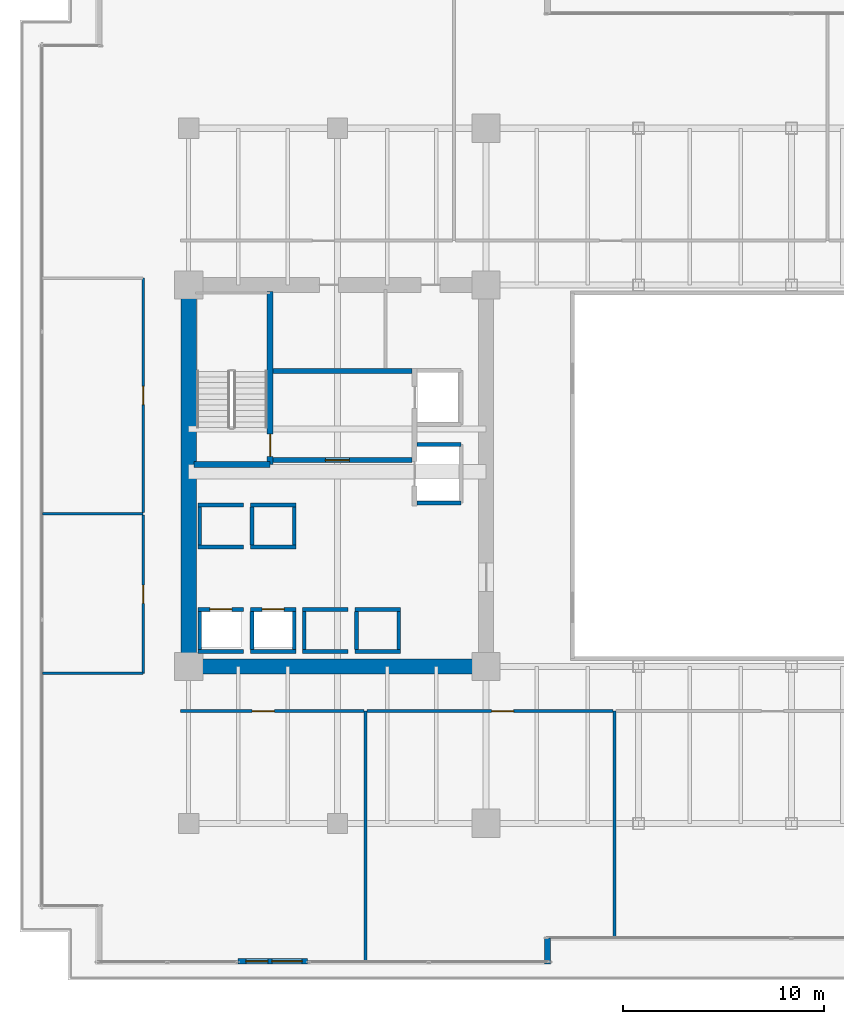
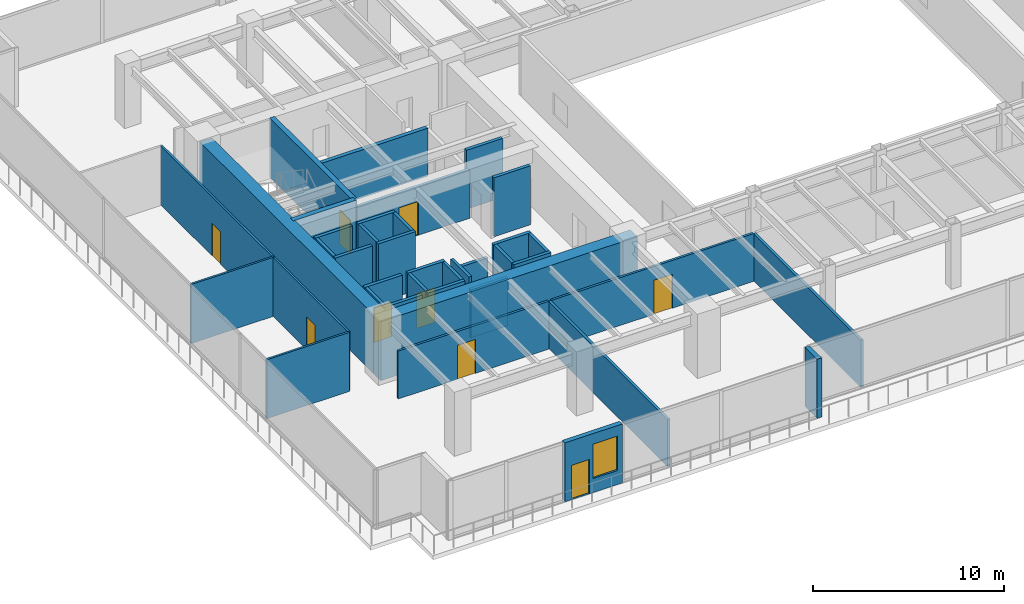
# One storey, part 29 of 36: 39 walls, 9 doors, 1 window, 10 openings.
"""IFC4 building model written with IfcOpenShell, lengths in metres."""

from ifc_helpers import new_model, si_unit, direction, frame, frame_2d, origin, place, context, subcontext, project, spatial, rectangle, extrude, source, transform, mapped, material, layer, layer_set, type_object, type_shapes, element, fill, save


model = new_model("IFC4")

# Units and contexts
model_context = context("Model", 3, precision=1e-05, world=origin(), true_north=direction((0.0, 1.0)))
body_context = subcontext(model_context, "Body", "Model", "MODEL_VIEW")
ifc_project = project(units=[si_unit("LENGTHUNIT", "METRE"), si_unit("AREAUNIT", "SQUARE_METRE"), si_unit("VOLUMEUNIT", "CUBIC_METRE"), si_unit("PLANEANGLEUNIT", "RADIAN"), si_unit("MASSUNIT", "GRAM", prefix="KILO")], contexts=[model_context])

# Site, building, storey
site_placement = place(None, origin())
site = spatial("IfcSite", under=ifc_project, at=site_placement, CompositionType="ELEMENT")
building_placement = place(site_placement, origin())
building = spatial("IfcBuilding", under=site, at=building_placement, Name="Haelvirn Gate Laboratories", CompositionType="ELEMENT")
storey_placement = place(building_placement, frame((0.0, 0.0, 25.199951171875)))
storey = spatial("IfcBuildingStorey", under=building, at=storey_placement, Name="L06", CompositionType="ELEMENT", Elevation=25.199951171875)

# Wall, openings, door, window
ifc_material_1 = material(Name="Thermally-broken bronze aluminium rainscreen & mineral wool", Category="aluminium")
ifc_layer_1 = layer(ifc_material_1, 0.280029296875, Name="EW-TERR-280")
ifc_layer_set_1 = layer_set([ifc_layer_1], Name="Thermally-broken bronze aluminium rainscreen & mineral wool")
wall_type_1 = type_object("IfcWallType", Name="EW-TERR-280", PredefinedType="STANDARD", material=ifc_layer_set_1)
wall_1_placement = place(storey_placement, frame((9.85693359375, 0.139892578125, 0.0), z_axis=(0.0, 0.0, 1.0), x_axis=(1.0, 0.0, 0.0)))
wall_1 = element("IfcWall", 1, at=wall_1_placement, inside=storey, type_object=wall_type_1, Name="L06 Terrace Access Wall SETB-S", PredefinedType="STANDARD", context=body_context, shape_type="SweptSolid", body=[
    extrude(rectangle(XDim=3.466064453125, YDim=0.280029296875, at=frame_2d((1.73291015625, 0.0))), origin(), (0.0, 0.0, 1.0), 3.780029296875),
])
opening_1_placement = place(wall_1_placement, frame((0.383056640625, 0.0, 0.0)))
opening_1 = element("IfcOpeningElement", 2, at=opening_1_placement, cuts=wall_1, Name="Opening TD1", PredefinedType="OPENING", context=body_context, shape_type="SweptSolid", body=[
    extrude(rectangle(XDim=1.10009765625, YDim=2.199951171875, at=frame_2d((0.550048828125, 1.10009765625))), frame((0.0, 0.14990234375, 0.0), z_axis=(0.0, -1.0, 0.0), x_axis=(1.0, 0.0, 0.0)), (0.0, 0.0, 1.0), 0.300048828125),
])
opening_2_placement = place(wall_1_placement, frame((1.68310546875, 0.0, 0.89990234375)))
opening_2 = element("IfcOpeningElement", 3, at=opening_2_placement, cuts=wall_1, Name="Opening W3", PredefinedType="OPENING", context=body_context, shape_type="SweptSolid", body=[
    extrude(rectangle(XDim=1.5, YDim=2.199951171875, at=frame_2d((0.75, 1.10009765625))), frame((0.0, 0.14990234375, 0.0), z_axis=(0.0, -1.0, 0.0), x_axis=(1.0, 0.0, 0.0)), (0.0, 0.0, 1.0), 0.300048828125),
])
ifc_material_2 = material(Name="Thermally-broken bronze aluminium glazed terrace door", Category="aluminium")
door_type_1 = type_object("IfcDoorType", Name="DR-TERR-1100", OperationType="NOTDEFINED", PredefinedType="DOOR", material=ifc_material_2)
shared_shape_1 = source(origin(), body_context, "Body", "SweptSolid", [
    extrude(rectangle(XDim=1.10009765625, YDim=2.199951171875, at=frame_2d((0.550048828125, 1.10009765625))), frame((0.0, 0.02490234375, 0.0), z_axis=(0.0, -1.0, 0.0), x_axis=(1.0, 0.0, 0.0)), (0.0, 0.0, 1.0), 0.050048828125),
])
type_shapes(door_type_1, [shared_shape_1])
door_1_placement = place(opening_1_placement, origin())
door_1 = element("IfcDoor", 4, at=door_1_placement, inside=storey, type_object=door_type_1, Name="L06 Terrace Access Door SETB-S", OperationType="SINGLE_SWING_LEFT", OverallHeight=2.199951171875, OverallWidth=1.10009765625, PredefinedType="DOOR", context=body_context, shape_type="MappedRepresentation", body=[
    mapped(shared_shape_1, transform((0.0, 0.0, 0.0), scale=1.0)),
])
fill(opening_1, door_1)
ifc_material_3 = material(Name="Bronze anodised aluminium & triple low-E glass", Category="aluminium")
window_type = type_object("IfcWindowType", Name="WIN-TERR-1600", PartitioningType="SINGLE_PANEL", PredefinedType="WINDOW", material=ifc_material_3)
shared_shape_2 = source(origin(), body_context, "Body", "SweptSolid", [
    extrude(rectangle(XDim=1.5, YDim=2.199951171875, at=frame_2d((0.75, 1.10009765625))), frame((0.0, 0.030029296875, 0.0), z_axis=(0.0, -1.0, 0.0), x_axis=(1.0, 0.0, 0.0)), (0.0, 0.0, 1.0), 0.06005859375),
])
type_shapes(window_type, [shared_shape_2])
window_placement = place(opening_2_placement, origin())
window = element("IfcWindow", 5, at=window_placement, inside=storey, type_object=window_type, Name="L06 Terrace Vision Window SETB-S", OverallHeight=2.199951171875, OverallWidth=1.5, PartitioningType="SINGLE_PANEL", PredefinedType="WINDOW", context=body_context, shape_type="MappedRepresentation", body=[
    mapped(shared_shape_2, transform((0.0, 0.0, 0.0), scale=1.0)),
])
fill(opening_2, window)

# Walls
wall_2_placement = place(storey_placement, frame((25.260009765625, 0.0, 0.0), z_axis=(0.0, 0.0, 1.0), x_axis=(0.0, 1.0, 0.0)))
element("IfcWall", 6, at=wall_2_placement, inside=storey, type_object=wall_type_1, Name="L06 Atrium Recess Bronze Return Wall 01", PredefinedType="STANDARD", context=body_context, shape_type="SweptSolid", body=[
    extrude(rectangle(XDim=1.2880859375, YDim=0.280029296875, at=frame_2d((0.64404296875, 0.0))), origin(), (0.0, 0.0, 1.0), 3.780029296875),
])
ifc_material_4 = material(Name="Double-layer acoustic gypsum laboratory partition", Category="gypsum")
ifc_layer_2 = layer(ifc_material_4, 0.159912109375, Name="IW-ACOUST-160")
ifc_layer_set_2 = layer_set([ifc_layer_2], Name="Double-layer acoustic gypsum laboratory partition")
wall_type_2 = type_object("IfcWallType", Name="IW-ACOUST-160", PredefinedType="PARTITIONING", material=ifc_layer_set_2)
wall_3_placement = place(storey_placement, frame((16.199951171875, 0.110107421875, 0.0), z_axis=(0.0, 0.0, 1.0), x_axis=(0.0, 1.0, 0.0)))
element("IfcWall", 7, at=wall_3_placement, inside=storey, type_object=wall_type_2, Name="L06 Interior Wall IW-L06-SDIV-01", PredefinedType="PARTITIONING", context=body_context, shape_type="SweptSolid", body=[
    extrude(rectangle(XDim=12.47998046875, YDim=0.159912109375, at=frame_2d((6.239990234375, 0.0))), origin(), (0.0, 0.0, 1.0), 3.01513671875),
])
wall_4_placement = place(storey_placement, frame((28.60009765625, 1.31005859375, 0.0), z_axis=(0.0, 0.0, 1.0), x_axis=(0.0, 1.0, 0.0)))
element("IfcWall", 8, at=wall_4_placement, inside=storey, type_object=wall_type_2, Name="L06 Interior Wall IW-L06-SDIV-02", PredefinedType="PARTITIONING", context=body_context, shape_type="SweptSolid", body=[
    extrude(rectangle(XDim=11.280029296875, YDim=0.159912109375, at=frame_2d((5.64013671875, 0.0))), origin(), (0.0, 0.0, 1.0), 3.01513671875),
])
ifc_material_5 = material(Name="Lightweight acoustic gypsum board partition", Category="gypsum")
ifc_layer_3 = layer(ifc_material_5, 0.1201171875, Name="IW-PART-120")
ifc_layer_set_3 = layer_set([ifc_layer_3], Name="Lightweight acoustic gypsum board partition")
wall_type_3 = type_object("IfcWallType", Name="IW-PART-120", PredefinedType="PARTITIONING", material=ifc_layer_set_3)
wall_5_placement = place(storey_placement, frame((0.110107421875, 14.465087890625, 0.0), z_axis=(0.0, 0.0, 1.0), x_axis=(1.0, 0.0, 0.0)))
element("IfcWall", 9, at=wall_5_placement, inside=storey, type_object=wall_type_3, Name="L06 Interior Wall IW-L06-WCAP-S", PredefinedType="PARTITIONING", context=body_context, shape_type="SweptSolid", body=[
    extrude(rectangle(XDim=5.019775390625, YDim=0.1201171875, at=frame_2d((2.509765625, 0.0))), origin(), (0.0, 0.0, 1.0), 3.780029296875),
])

# Wall, opening, door
wall_6_placement = place(storey_placement, frame((5.1298828125, 14.465087890625, 0.0), z_axis=(0.0, 0.0, 1.0), x_axis=(0.0, 1.0, 0.0)))
wall_6 = element("IfcWall", 10, at=wall_6_placement, inside=storey, type_object=wall_type_3, Name="L06 Interior Wall IW-L06-WPASS-01", PredefinedType="PARTITIONING", context=body_context, shape_type="SweptSolid", body=[
    extrude(rectangle(XDim=7.875, YDim=0.1201171875, at=frame_2d((3.9375, 0.0))), origin(), (0.0, 0.0, 1.0), 3.780029296875),
])
opening_3_placement = place(wall_6_placement, frame((3.487548828125, 0.0, 0.0)))
opening_3 = element("IfcOpeningElement", 11, at=opening_3_placement, cuts=wall_6, Name="Opening D4", PredefinedType="OPENING", context=body_context, shape_type="SweptSolid", body=[
    extrude(rectangle(XDim=0.89990234375, YDim=2.10009765625, at=frame_2d((0.449951171875, 1.050048828125))), frame((0.0, 0.070068359375, 0.0), z_axis=(0.0, -1.0, 0.0), x_axis=(1.0, 0.0, 0.0)), (0.0, 0.0, 1.0), 0.14013671875),
])
ifc_material_6 = material(Name="Glazed aluminium-framed write-up door", Category="aluminium")
door_type_2 = type_object("IfcDoorType", Name="DR-OFF-900", OperationType="NOTDEFINED", PredefinedType="DOOR", material=ifc_material_6)
shared_shape_3 = source(origin(), body_context, "Body", "SweptSolid", [
    extrude(rectangle(XDim=0.89990234375, YDim=2.10009765625, at=frame_2d((0.449951171875, 1.050048828125))), frame((0.0, 0.02490234375, 0.0), z_axis=(0.0, -1.0, 0.0), x_axis=(1.0, 0.0, 0.0)), (0.0, 0.0, 1.0), 0.050048828125),
])
type_shapes(door_type_2, [shared_shape_3])
door_2_placement = place(opening_3_placement, origin())
door_2 = element("IfcDoor", 12, at=door_2_placement, inside=storey, type_object=door_type_2, Name="L06 Chemical Synthesis Laboratory Door W1", OperationType="SINGLE_SWING_LEFT", OverallHeight=2.10009765625, OverallWidth=0.89990234375, PredefinedType="DOOR", context=body_context, shape_type="MappedRepresentation", body=[
    mapped(shared_shape_3, transform((0.0, 0.0, 0.0), scale=1.0)),
])
fill(opening_3, door_2)

# Wall
wall_7_placement = place(storey_placement, frame((0.110107421875, 22.39990234375, 0.0), z_axis=(0.0, 0.0, 1.0), x_axis=(1.0, 0.0, 0.0)))
element("IfcWall", 13, at=wall_7_placement, inside=storey, type_object=wall_type_3, Name="L06 Interior Wall IW-L06-WDIV-01", PredefinedType="PARTITIONING", context=body_context, shape_type="SweptSolid", body=[
    extrude(rectangle(XDim=5.019775390625, YDim=0.1201171875, at=frame_2d((2.509765625, 0.0))), origin(), (0.0, 0.0, 1.0), 3.780029296875),
])

# Wall, opening, door
wall_8_placement = place(storey_placement, frame((5.1298828125, 22.4599609375, 0.0), z_axis=(0.0, 0.0, 1.0), x_axis=(0.0, 1.0, 0.0)))
wall_8 = element("IfcWall", 14, at=wall_8_placement, inside=storey, type_object=wall_type_3, Name="L06 Interior Wall IW-L06-WPASS-02", PredefinedType="PARTITIONING", context=body_context, shape_type="SweptSolid", body=[
    extrude(rectangle(XDim=11.675048828125, YDim=0.1201171875, at=frame_2d((5.83740234375, 0.0))), origin(), (0.0, 0.0, 1.0), 3.780029296875),
])
opening_4_placement = place(wall_8_placement, frame((5.387451171875, 0.0, 0.0)))
opening_4 = element("IfcOpeningElement", 15, at=opening_4_placement, cuts=wall_8, Name="Opening D4", PredefinedType="OPENING", context=body_context, shape_type="SweptSolid", body=[
    extrude(rectangle(XDim=0.89990234375, YDim=2.10009765625, at=frame_2d((0.449951171875, 1.050048828125))), frame((0.0, 0.070068359375, 0.0), z_axis=(0.0, -1.0, 0.0), x_axis=(1.0, 0.0, 0.0)), (0.0, 0.0, 1.0), 0.14013671875),
])
door_3_placement = place(opening_4_placement, origin())
door_3 = element("IfcDoor", 16, at=door_3_placement, inside=storey, type_object=door_type_2, Name="L06 Bioprocess Foundry Laboratory Door W2", OperationType="SINGLE_SWING_RIGHT", OverallHeight=2.10009765625, OverallWidth=0.89990234375, PredefinedType="DOOR", context=body_context, shape_type="MappedRepresentation", body=[
    mapped(shared_shape_3, transform((0.0, 0.0, 0.0), scale=1.0)),
])
fill(opening_4, door_3)

ifc_material_7 = material(Name="Acoustic mineral-wool gypsum board partition", Category="gypsum")
ifc_layer_4 = layer(ifc_material_7, 0.139892578125, Name="IW-PART-140")
ifc_layer_set_4 = layer_set([ifc_layer_4], Name="Acoustic mineral-wool gypsum board partition")
wall_type_4 = type_object("IfcWallType", Name="IW-PART-140", PredefinedType="PARTITIONING", material=ifc_layer_set_4)
wall_9_placement = place(storey_placement, frame((6.97998046875, 12.590087890625, 0.0), z_axis=(0.0, 0.0, 1.0), x_axis=(1.0, 0.0, 0.0)))
wall_9 = element("IfcWall", 17, at=wall_9_placement, inside=storey, type_object=wall_type_4, Name="L06 Interior Wall IW-L06-SCORR-01", PredefinedType="PARTITIONING", context=body_context, shape_type="SweptSolid", body=[
    extrude(rectangle(XDim=9.14013671875, YDim=0.139892578125, at=frame_2d((4.570068359375, 0.0))), origin(), (0.0, 0.0, 1.0), 3.06494140625),
])
opening_5_placement = place(wall_9_placement, frame((3.57958984375, 0.0, 0.0)))
opening_5 = element("IfcOpeningElement", 18, at=opening_5_placement, cuts=wall_9, Name="Opening D1", PredefinedType="OPENING", context=body_context, shape_type="SweptSolid", body=[
    extrude(rectangle(XDim=1.10009765625, YDim=2.179931640625, at=frame_2d((0.550048828125, 1.08984375))), frame((0.0, 0.080078125, 0.0), z_axis=(0.0, -1.0, 0.0), x_axis=(1.0, 0.0, 0.0)), (0.0, 0.0, 1.0), 0.159912109375),
])
ifc_material_8 = material(Name="Vision-panel acoustic solid-core timber lab door", Category="wood")
door_type_3 = type_object("IfcDoorType", Name="DR-LAB-1100", OperationType="NOTDEFINED", PredefinedType="DOOR", material=ifc_material_8)
shared_shape_4 = source(origin(), body_context, "Body", "SweptSolid", [
    extrude(rectangle(XDim=1.10009765625, YDim=2.179931640625, at=frame_2d((0.550048828125, 1.08984375))), frame((0.0, 0.02490234375, 0.0), z_axis=(0.0, -1.0, 0.0), x_axis=(1.0, 0.0, 0.0)), (0.0, 0.0, 1.0), 0.050048828125),
])
type_shapes(door_type_3, [shared_shape_4])
door_4_placement = place(opening_5_placement, origin())
door_4 = element("IfcDoor", 19, at=door_4_placement, inside=storey, type_object=door_type_3, Name="L06 Computational Write-Up Office Door S1", OperationType="SINGLE_SWING_LEFT", OverallHeight=2.179931640625, OverallWidth=1.10009765625, PredefinedType="DOOR", context=body_context, shape_type="MappedRepresentation", body=[
    mapped(shared_shape_4, transform((0.0, 0.0, 0.0), scale=1.0)),
])
fill(opening_5, door_4)

wall_10_placement = place(storey_placement, frame((16.280029296875, 12.590087890625, 0.0), z_axis=(0.0, 0.0, 1.0), x_axis=(1.0, 0.0, 0.0)))
wall_10 = element("IfcWall", 20, at=wall_10_placement, inside=storey, type_object=wall_type_4, Name="L06 Interior Wall IW-L06-SCORR-02", PredefinedType="PARTITIONING", context=body_context, shape_type="SweptSolid", body=[
    extrude(rectangle(XDim=12.239990234375, YDim=0.139892578125, at=frame_2d((6.1201171875, 0.0))), origin(), (0.0, 0.0, 1.0), 3.06494140625),
])
opening_6_placement = place(wall_10_placement, frame((6.1962890625, 0.0, 0.0)))
opening_6 = element("IfcOpeningElement", 21, at=opening_6_placement, cuts=wall_10, Name="Opening D1", PredefinedType="OPENING", context=body_context, shape_type="SweptSolid", body=[
    extrude(rectangle(XDim=1.10009765625, YDim=2.179931640625, at=frame_2d((0.550048828125, 1.08984375))), frame((0.0, 0.080078125, 0.0), z_axis=(0.0, -1.0, 0.0), x_axis=(1.0, 0.0, 0.0)), (0.0, 0.0, 1.0), 0.159912109375),
])
door_5_placement = place(opening_6_placement, origin())
door_5 = element("IfcDoor", 22, at=door_5_placement, inside=storey, type_object=door_type_3, Name="L06 Bioinformatics Dry-Lab Workspace Door S2", OperationType="SINGLE_SWING_RIGHT", OverallHeight=2.179931640625, OverallWidth=1.10009765625, PredefinedType="DOOR", context=body_context, shape_type="MappedRepresentation", body=[
    mapped(shared_shape_4, transform((0.0, 0.0, 0.0), scale=1.0)),
])
fill(opening_6, door_5)

# Walls
ifc_material_9 = material(Name="Concrete C40/50", Category="concrete")
ifc_layer_5 = layer(ifc_material_9, 0.179931640625, Name="IW-SHAFT-180")
ifc_layer_set_5 = layer_set([ifc_layer_5], Name="Concrete C40/50")
wall_type_5 = type_object("IfcWallType", Name="IW-SHAFT-180", PredefinedType="SOLIDWALL", material=ifc_layer_set_5)
for number, where, z_axis, x_axis, name in (
    (23, (7.949951171875, 15.64990234375, 0.0), (0.0, 0.0, 1.0), (0.0, 1.0, 0.0), "L06 Interior Wall IW-L06-PL1-SD"),
    (24, (10.550048828125, 15.64990234375, 0.0), (0.0, 0.0, 1.0), (0.0, 1.0, 0.0), "L06 Interior Wall IW-L06-PL2-SD"),
    (25, (12.64990234375, 15.64990234375, 0.0), (0.0, 0.0, 1.0), (0.0, 1.0, 0.0), "L06 Interior Wall IW-L06-PL2-SDE"),
    (26, (13.14990234375, 15.64990234375, 0.0), (0.0, 0.0, 1.0), (0.0, 1.0, 0.0), "L06 Interior Wall IW-L06-PL5-SD"),
    (27, (15.75, 15.64990234375, 0.0), (0.0, 0.0, 1.0), (0.0, 1.0, 0.0), "L06 Interior Wall IW-L06-PL6-SD"),
    (28, (17.85009765625, 15.64990234375, 0.0), (0.0, 0.0, 1.0), (0.0, 1.0, 0.0), "L06 Interior Wall IW-L06-PL6-SDE"),
):
    element("IfcWall", number, at=place(storey_placement, frame(where, z_axis=z_axis, x_axis=x_axis)), inside=storey, type_object=wall_type_5, Name=name, PredefinedType="SOLIDWALL", context=body_context, shape_type="SweptSolid", body=[
        extrude(rectangle(XDim=1.900146484375, YDim=0.179931640625, at=frame_2d((0.9501953125, 0.0))), origin(), (0.0, 0.0, 1.0), 3.780029296875),
    ])
for number, where, z_axis, x_axis, name in (
    (29, (7.949951171875, 20.85009765625, 0.0), (0.0, 0.0, 1.0), (0.0, 1.0, 0.0), "L06 Interior Wall IW-L06-PL9-SD"),
    (30, (10.550048828125, 20.85009765625, 0.0), (0.0, 0.0, 1.0), (0.0, 1.0, 0.0), "L06 Interior Wall IW-L06-PL10-SD"),
    (31, (12.64990234375, 20.85009765625, 0.0), (0.0, 0.0, 1.0), (0.0, 1.0, 0.0), "L06 Interior Wall IW-L06-PL10-SDE"),
):
    element("IfcWall", number, at=place(storey_placement, frame(where, z_axis=z_axis, x_axis=x_axis)), inside=storey, type_object=wall_type_5, Name=name, PredefinedType="SOLIDWALL", context=body_context, shape_type="SweptSolid", body=[
        extrude(rectangle(XDim=1.89990234375, YDim=0.179931640625, at=frame_2d((0.949951171875, 0.0))), origin(), (0.0, 0.0, 1.0), 3.780029296875),
    ])

# Wall, opening, door
ifc_layer_6 = layer(ifc_material_9, 0.199951171875, Name="IW-SHAFT-200")
ifc_layer_set_6 = layer_set([ifc_layer_6], Name="Concrete C40/50")
wall_type_6 = type_object("IfcWallType", Name="IW-SHAFT-200", PredefinedType="SOLIDWALL", material=ifc_layer_set_6)
wall_11_placement = place(storey_placement, frame((7.8701171875, 17.64990234375, 0.0), z_axis=(0.0, 0.0, 1.0), x_axis=(1.0, 0.0, 0.0)))
wall_11 = element("IfcWall", 32, at=wall_11_placement, inside=storey, type_object=wall_type_6, Name="L06 Interior Wall IW-L06-PL1-FR", PredefinedType="SOLIDWALL", context=body_context, shape_type="SweptSolid", body=[
    extrude(rectangle(XDim=2.259765625, YDim=0.199951171875, at=frame_2d((1.1298828125, 0.0))), origin(), (0.0, 0.0, 1.0), 3.780029296875),
])
opening_7_placement = place(wall_11_placement, frame((0.580078125, 0.0, 0.0)))
opening_7 = element("IfcOpeningElement", 33, at=opening_7_placement, cuts=wall_11, Name="Opening LD2", PredefinedType="OPENING", context=body_context, shape_type="SweptSolid", body=[
    extrude(rectangle(XDim=1.10009765625, YDim=2.219970703125, at=frame_2d((0.550048828125, 1.10986328125))), frame((0.0, 0.10986328125, 0.0), z_axis=(0.0, -1.0, 0.0), x_axis=(1.0, 0.0, 0.0)), (0.0, 0.0, 1.0), 0.219970703125),
])
ifc_material_10 = material(Name="Bronze stainless 316L sliding lift landing door")
door_type_4 = type_object("IfcDoorType", Name="DR-LD-1100", OperationType="NOTDEFINED", PredefinedType="USERDEFINED", material=ifc_material_10)
shared_shape_5 = source(origin(), body_context, "Body", "SweptSolid", [
    extrude(rectangle(XDim=1.10009765625, YDim=2.219970703125, at=frame_2d((0.550048828125, 1.10986328125))), frame((0.0, 0.02490234375, 0.0), z_axis=(0.0, -1.0, 0.0), x_axis=(1.0, 0.0, 0.0)), (0.0, 0.0, 1.0), 0.050048828125),
])
type_shapes(door_type_4, [shared_shape_5])
door_6_placement = place(opening_7_placement, origin())
door_6 = element("IfcDoor", 34, at=door_6_placement, inside=storey, type_object=door_type_4, Name="L06 Passenger Lift PL1 Landing Door", ObjectType="LANDING_DOOR", OperationType="SLIDING_TO_LEFT", OverallHeight=2.219970703125, OverallWidth=1.10009765625, PredefinedType="USERDEFINED", context=body_context, shape_type="MappedRepresentation", body=[
    mapped(shared_shape_5, transform((0.0, 0.0, 0.0), scale=1.0)),
])
fill(opening_7, door_6)

# Wall
wall_12_placement = place(storey_placement, frame((7.8701171875, 15.550048828125, 0.0), z_axis=(0.0, 0.0, 1.0), x_axis=(1.0, 0.0, 0.0)))
element("IfcWall", 35, at=wall_12_placement, inside=storey, type_object=wall_type_6, Name="L06 Interior Wall IW-L06-PL1-BK", PredefinedType="SOLIDWALL", context=body_context, shape_type="SweptSolid", body=[
    extrude(rectangle(XDim=2.259765625, YDim=0.199951171875, at=frame_2d((1.1298828125, 0.0))), origin(), (0.0, 0.0, 1.0), 3.780029296875),
])

# Wall, opening, door
wall_13_placement = place(storey_placement, frame((10.469970703125, 17.64990234375, 0.0), z_axis=(0.0, 0.0, 1.0), x_axis=(1.0, 0.0, 0.0)))
wall_13 = element("IfcWall", 36, at=wall_13_placement, inside=storey, type_object=wall_type_6, Name="L06 Interior Wall IW-L06-PL2-FR", PredefinedType="SOLIDWALL", context=body_context, shape_type="SweptSolid", body=[
    extrude(rectangle(XDim=2.260009765625, YDim=0.199951171875, at=frame_2d((1.1298828125, 0.0))), origin(), (0.0, 0.0, 1.0), 3.780029296875),
])
opening_8_placement = place(wall_13_placement, frame((0.580078125, 0.0, 0.0)))
opening_8 = element("IfcOpeningElement", 37, at=opening_8_placement, cuts=wall_13, Name="Opening LD2", PredefinedType="OPENING", context=body_context, shape_type="SweptSolid", body=[
    extrude(rectangle(XDim=1.10009765625, YDim=2.219970703125, at=frame_2d((0.550048828125, 1.10986328125))), frame((0.0, 0.10986328125, 0.0), z_axis=(0.0, -1.0, 0.0), x_axis=(1.0, 0.0, 0.0)), (0.0, 0.0, 1.0), 0.219970703125),
])
door_7_placement = place(opening_8_placement, origin())
door_7 = element("IfcDoor", 38, at=door_7_placement, inside=storey, type_object=door_type_4, Name="L06 Passenger Lift PL2 Landing Door", ObjectType="LANDING_DOOR", OperationType="SLIDING_TO_RIGHT", OverallHeight=2.219970703125, OverallWidth=1.10009765625, PredefinedType="USERDEFINED", context=body_context, shape_type="MappedRepresentation", body=[
    mapped(shared_shape_5, transform((0.0, 0.0, 0.0), scale=1.0)),
])
fill(opening_8, door_7)

# Walls
wall_14_placement = place(storey_placement, frame((10.469970703125, 15.550048828125, 0.0), z_axis=(0.0, 0.0, 1.0), x_axis=(1.0, 0.0, 0.0)))
element("IfcWall", 39, at=wall_14_placement, inside=storey, type_object=wall_type_6, Name="L06 Interior Wall IW-L06-PL2-BK", PredefinedType="SOLIDWALL", context=body_context, shape_type="SweptSolid", body=[
    extrude(rectangle(XDim=2.260009765625, YDim=0.199951171875, at=frame_2d((1.1298828125, 0.0))), origin(), (0.0, 0.0, 1.0), 3.780029296875),
])
for number, where, z_axis, x_axis, name in (
    (40, (13.070068359375, 17.64990234375, 0.0), (0.0, 0.0, 1.0), (1.0, 0.0, 0.0), "L06 Interior Wall IW-L06-PL5-FR"),
    (41, (13.070068359375, 15.550048828125, 0.0), (0.0, 0.0, 1.0), (1.0, 0.0, 0.0), "L06 Interior Wall IW-L06-PL5-BK"),
):
    element("IfcWall", number, at=place(storey_placement, frame(where, z_axis=z_axis, x_axis=x_axis)), inside=storey, type_object=wall_type_6, Name=name, PredefinedType="SOLIDWALL", context=body_context, shape_type="SweptSolid", body=[
        extrude(rectangle(XDim=2.260009765625, YDim=0.199951171875, at=frame_2d((1.1298828125, 0.0))), origin(), (0.0, 0.0, 1.0), 3.06494140625),
    ])
for number, where, z_axis, x_axis, name in (
    (42, (15.669921875, 17.64990234375, 0.0), (0.0, 0.0, 1.0), (1.0, 0.0, 0.0), "L06 Interior Wall IW-L06-PL6-FR"),
    (43, (15.669921875, 15.550048828125, 0.0), (0.0, 0.0, 1.0), (1.0, 0.0, 0.0), "L06 Interior Wall IW-L06-PL6-BK"),
):
    element("IfcWall", number, at=place(storey_placement, frame(where, z_axis=z_axis, x_axis=x_axis)), inside=storey, type_object=wall_type_6, Name=name, PredefinedType="SOLIDWALL", context=body_context, shape_type="SweptSolid", body=[
        extrude(rectangle(XDim=2.260009765625, YDim=0.199951171875, at=frame_2d((1.1298828125, 0.0))), origin(), (0.0, 0.0, 1.0), 3.780029296875),
    ])
for number, where, z_axis, x_axis, name in (
    (44, (7.8701171875, 20.75, 0.0), (0.0, 0.0, 1.0), (1.0, 0.0, 0.0), "L06 Interior Wall IW-L06-PL9-FR"),
    (45, (7.8701171875, 22.85009765625, 0.0), (0.0, 0.0, 1.0), (1.0, 0.0, 0.0), "L06 Interior Wall IW-L06-PL9-BK"),
):
    element("IfcWall", number, at=place(storey_placement, frame(where, z_axis=z_axis, x_axis=x_axis)), inside=storey, type_object=wall_type_6, Name=name, PredefinedType="SOLIDWALL", context=body_context, shape_type="SweptSolid", body=[
        extrude(rectangle(XDim=2.259765625, YDim=0.199951171875, at=frame_2d((1.1298828125, 0.0))), origin(), (0.0, 0.0, 1.0), 3.780029296875),
    ])
for number, where, z_axis, x_axis, name in (
    (46, (10.469970703125, 20.75, 0.0), (0.0, 0.0, 1.0), (1.0, 0.0, 0.0), "L06 Interior Wall IW-L06-PL10-FR"),
    (47, (10.469970703125, 22.85009765625, 0.0), (0.0, 0.0, 1.0), (1.0, 0.0, 0.0), "L06 Interior Wall IW-L06-PL10-BK"),
):
    element("IfcWall", number, at=place(storey_placement, frame(where, z_axis=z_axis, x_axis=x_axis)), inside=storey, type_object=wall_type_6, Name=name, PredefinedType="SOLIDWALL", context=body_context, shape_type="SweptSolid", body=[
        extrude(rectangle(XDim=2.260009765625, YDim=0.199951171875, at=frame_2d((1.1298828125, 0.0))), origin(), (0.0, 0.0, 1.0), 3.780029296875),
    ])
for number, where, z_axis, x_axis, name in (
    (48, (18.760009765625, 25.85009765625, 0.0), (0.0, 0.0, 1.0), (1.0, 0.0, 0.0), "L06 Interior Wall IW-L06-SL1-N"),
    (49, (18.760009765625, 22.949951171875, 0.0), (0.0, 0.0, 1.0), (1.0, 0.0, 0.0), "L06 Interior Wall IW-L06-SL1-S"),
):
    element("IfcWall", number, at=place(storey_placement, frame(where, z_axis=z_axis, x_axis=x_axis)), inside=storey, type_object=wall_type_6, Name=name, PredefinedType="SOLIDWALL", context=body_context, shape_type="SweptSolid", body=[
        extrude(rectangle(XDim=2.18994140625, YDim=0.199951171875, at=frame_2d((1.094970703125, 0.0))), origin(), (0.0, 0.0, 1.0), 3.780029296875),
    ])

# Wall, opening, door
ifc_layer_7 = layer(ifc_material_9, 0.239990234375, Name="IW-SHAFT-240")
ifc_layer_set_7 = layer_set([ifc_layer_7], Name="Concrete C40/50")
wall_type_7 = type_object("IfcWallType", Name="IW-SHAFT-240", PredefinedType="SOLIDWALL", material=ifc_layer_set_7)
wall_15_placement = place(storey_placement, frame((11.60009765625, 25.080078125, 0.0), z_axis=(0.0, 0.0, 1.0), x_axis=(1.0, 0.0, 0.0)))
wall_15 = element("IfcWall", 50, at=wall_15_placement, inside=storey, type_object=wall_type_7, Name="L06 Interior Wall IW-L06-W-FF-S", PredefinedType="SOLIDWALL", context=body_context, shape_type="SweptSolid", body=[
    extrude(rectangle(XDim=6.919921875, YDim=0.239990234375, at=frame_2d((3.4599609375, 0.0))), origin(), (0.0, 0.0, 1.0), 3.06494140625),
])
opening_9_placement = place(wall_15_placement, frame((2.60009765625, 0.0, 0.0)))
opening_9 = element("IfcOpeningElement", 51, at=opening_9_placement, cuts=wall_15, Name="Opening FD2", PredefinedType="OPENING", context=body_context, shape_type="SweptSolid", body=[
    extrude(rectangle(XDim=1.199951171875, YDim=2.159912109375, at=frame_2d((0.60009765625, 1.080078125))), frame((0.0, 0.1298828125, 0.0), z_axis=(0.0, -1.0, 0.0), x_axis=(1.0, 0.0, 0.0)), (0.0, 0.0, 1.0), 0.260009765625),
])
ifc_material_11 = material(Name="Fire-rated steel SM355 compartment door", Category="steel")
door_type_5 = type_object("IfcDoorType", Name="DR-FD-1200", OperationType="NOTDEFINED", PredefinedType="DOOR", material=ifc_material_11)
shared_shape_6 = source(origin(), body_context, "Body", "SweptSolid", [
    extrude(rectangle(XDim=1.199951171875, YDim=2.159912109375, at=frame_2d((0.60009765625, 1.080078125))), frame((0.0, 0.02490234375, 0.0), z_axis=(0.0, -1.0, 0.0), x_axis=(1.0, 0.0, 0.0)), (0.0, 0.0, 1.0), 0.050048828125),
])
type_shapes(door_type_5, [shared_shape_6])
door_8_placement = place(opening_9_placement, origin())
door_8 = element("IfcDoor", 52, at=door_8_placement, inside=storey, type_object=door_type_5, Name="L06 West Firefighting Lobby Door", OperationType="SINGLE_SWING_RIGHT", OverallHeight=2.159912109375, OverallWidth=1.199951171875, PredefinedType="DOOR", context=body_context, shape_type="MappedRepresentation", body=[
    mapped(shared_shape_6, transform((0.0, 0.0, 0.0), scale=1.0)),
])
fill(opening_9, door_8)

# Walls
wall_16_placement = place(storey_placement, frame((11.60009765625, 29.52001953125, 0.0), z_axis=(0.0, 0.0, 1.0), x_axis=(1.0, 0.0, 0.0)))
element("IfcWall", 53, at=wall_16_placement, inside=storey, type_object=wall_type_7, Name="L06 Interior Wall IW-L06-W-FF-N", PredefinedType="SOLIDWALL", context=body_context, shape_type="SweptSolid", body=[
    extrude(rectangle(XDim=6.919921875, YDim=0.239990234375, at=frame_2d((3.4599609375, 0.0))), origin(), (0.0, 0.0, 1.0), 3.06494140625),
])
ifc_material_12 = material(Name="Concrete C70/85", Category="concrete")
ifc_layer_8 = layer(ifc_material_12, 0.75, Name="SW-CORE-750")
ifc_layer_set_8 = layer_set([ifc_layer_8], Name="Concrete C70/85")
wall_type_8 = type_object("IfcWallType", Name="SW-CORE-750", PredefinedType="SHEAR", material=ifc_layer_set_8)
wall_17_placement = place(storey_placement, frame((7.02490234375, 14.800048828125, 0.0), z_axis=(0.0, 0.0, 1.0), x_axis=(1.0, 0.0, 0.0)))
element("IfcWall", 54, at=wall_17_placement, inside=storey, type_object=wall_type_8, Name="L06 W Core Shear Wall S", PredefinedType="SHEAR", context=body_context, shape_type="SweptSolid", body=[
    extrude(rectangle(XDim=15.550048828125, YDim=0.75, at=frame_2d((7.77490234375, 0.0))), origin(), (0.0, 0.0, 1.0), 3.780029296875),
])
wall_18_placement = place(storey_placement, frame((7.39990234375, 15.175048828125, 0.0), z_axis=(0.0, 0.0, 1.0), x_axis=(0.0, 1.0, 0.0)))
element("IfcWall", 55, at=wall_18_placement, inside=storey, type_object=wall_type_8, Name="L06 W Core Shear Wall W", PredefinedType="SHEAR", context=body_context, shape_type="SweptSolid", body=[
    extrude(rectangle(XDim=18.25, YDim=0.75, at=frame_2d((9.125, 0.0))), origin(), (0.0, 0.0, 1.0), 3.780029296875),
])

# Wall, opening, door
ifc_material_13 = material(Name="Concrete C50/60", Category="concrete")
ifc_layer_9 = layer(ifc_material_13, 0.300048828125, Name="SW-STAIR-300")
ifc_layer_set_9 = layer_set([ifc_layer_9], Name="Concrete C50/60")
wall_type_9 = type_object("IfcWallType", Name="SW-STAIR-300", PredefinedType="SHEAR", material=ifc_layer_set_9)
wall_19_placement = place(storey_placement, frame((11.449951171875, 24.85009765625, 0.0), z_axis=(0.0, 0.0, 1.0), x_axis=(0.0, 1.0, 0.0)))
wall_19 = element("IfcWall", 56, at=wall_19_placement, inside=storey, type_object=wall_type_9, Name="L06 W Core Stair Shaft Structural Wall IN", PredefinedType="SHEAR", context=body_context, shape_type="SweptSolid", body=[
    extrude(rectangle(XDim=8.6298828125, YDim=0.300048828125, at=frame_2d((4.31494140625, 0.0))), origin(), (0.0, 0.0, 1.0), 3.780029296875),
])
opening_10_placement = place(wall_19_placement, frame((0.419921875, 0.0, 0.0)))
opening_10 = element("IfcOpeningElement", 57, at=opening_10_placement, cuts=wall_19, Name="Opening FD3", PredefinedType="OPENING", context=body_context, shape_type="SweptSolid", body=[
    extrude(rectangle(XDim=1.10009765625, YDim=2.14990234375, at=frame_2d((0.550048828125, 1.074951171875))), frame((0.0, 0.16015625, 0.0), z_axis=(0.0, -1.0, 0.0), x_axis=(1.0, 0.0, 0.0)), (0.0, 0.0, 1.0), 0.320068359375),
])
ifc_material_14 = material(Name="Fire-rated steel SM355 escape stair door", Category="steel")
door_type_6 = type_object("IfcDoorType", Name="DR-FD-1100", OperationType="NOTDEFINED", PredefinedType="DOOR", material=ifc_material_14)
shared_shape_7 = source(origin(), body_context, "Body", "SweptSolid", [
    extrude(rectangle(XDim=1.10009765625, YDim=2.14990234375, at=frame_2d((0.550048828125, 1.074951171875))), frame((0.0, 0.02490234375, 0.0), z_axis=(0.0, -1.0, 0.0), x_axis=(1.0, 0.0, 0.0)), (0.0, 0.0, 1.0), 0.050048828125),
])
type_shapes(door_type_6, [shared_shape_7])
door_9_placement = place(opening_10_placement, origin())
door_9 = element("IfcDoor", 58, at=door_9_placement, inside=storey, type_object=door_type_6, Name="L06 Escape Stair ST1 Fire Door", OperationType="SINGLE_SWING_LEFT", OverallHeight=2.14990234375, OverallWidth=1.10009765625, PredefinedType="DOOR", context=body_context, shape_type="MappedRepresentation", body=[
    mapped(shared_shape_7, transform((0.0, 0.0, 0.0), scale=1.0)),
])
fill(opening_10, door_9)

# Wall
wall_20_placement = place(storey_placement, frame((7.64990234375, 24.85009765625, 0.0), z_axis=(0.0, 0.0, 1.0), x_axis=(1.0, 0.0, 0.0)))
element("IfcWall", 59, at=wall_20_placement, inside=storey, type_object=wall_type_9, Name="L06 W Core Stair Shaft Structural Wall S", PredefinedType="SHEAR", context=body_context, shape_type="SweptSolid", body=[
    extrude(rectangle(XDim=3.800048828125, YDim=0.300048828125, at=frame_2d((1.89990234375, 0.0))), origin(), (0.0, 0.0, 1.0), 3.780029296875),
])

save(model, "model.ifc")
